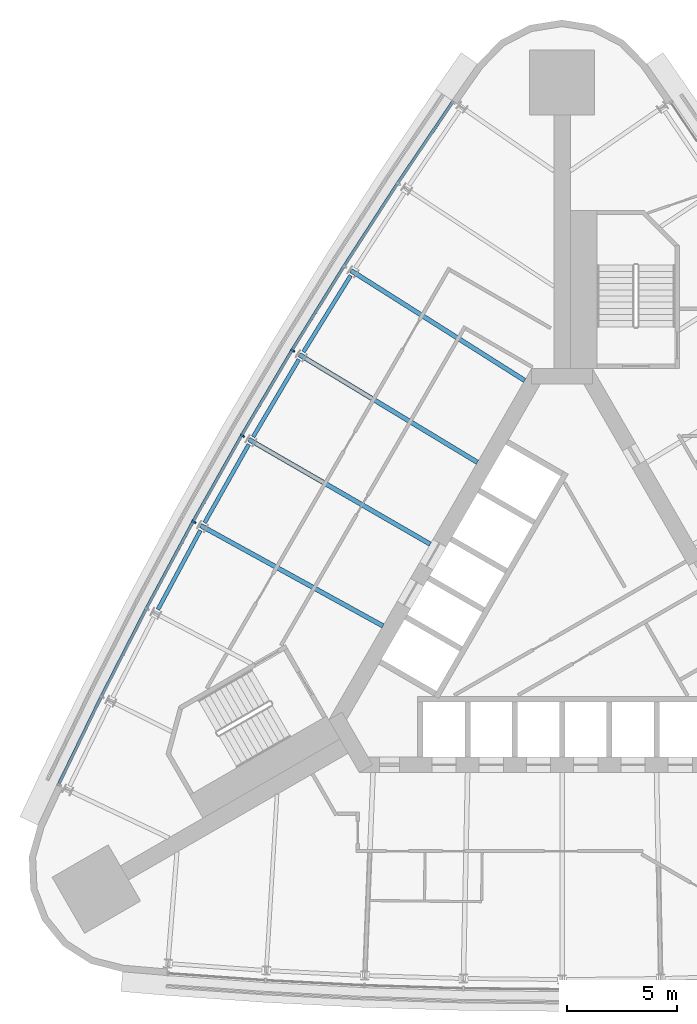
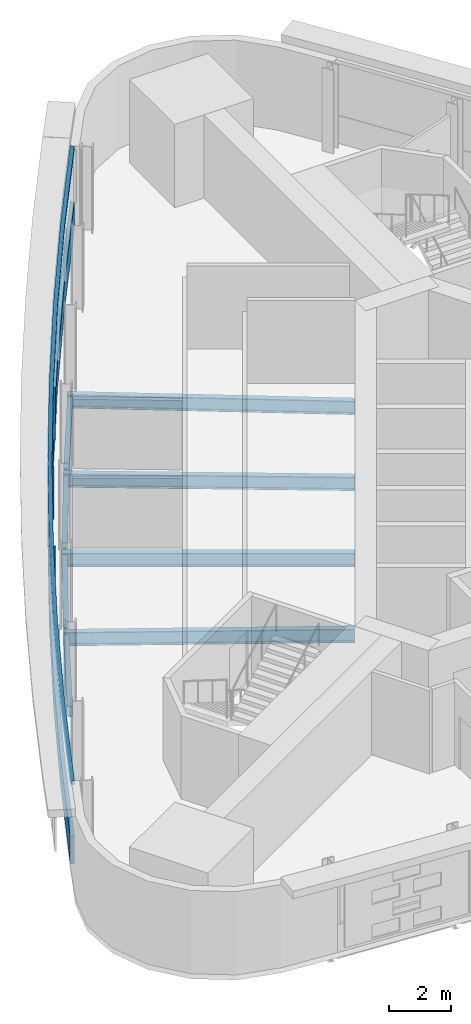
# One storey, part 3 of 11: 8 beams, 5 members, 1 element without a shape of its own.
"""IFC4 building model written with IfcOpenShell, lengths in metres."""

from ifc_helpers import new_model, si_unit, direction, frame, origin, origin_2d, place, context, subcontext, project, spatial, polyline, rectangle, i_section, outline, extrude, material, material_profile, profile_set, type_object, element, aggregate, save


model = new_model("IFC4")

# Units and contexts
model_context = context("Model", 3, precision=1e-05, world=origin(), true_north=direction((0.0, 1.0)))
body_context = subcontext(model_context, "Body", "Model", "MODEL_VIEW")
ifc_project = project(units=[si_unit("LENGTHUNIT", "METRE"), si_unit("AREAUNIT", "SQUARE_METRE"), si_unit("VOLUMEUNIT", "CUBIC_METRE"), si_unit("PLANEANGLEUNIT", "RADIAN"), si_unit("MASSUNIT", "GRAM", prefix="KILO")], contexts=[model_context])

# Site, building, storey
site_placement = place(None, origin())
site = spatial("IfcSite", under=ifc_project, at=site_placement, CompositionType="ELEMENT")
building_placement = place(site_placement, origin())
building = spatial("IfcBuilding", under=site, at=building_placement, Name="Noor Cloister Tower", CompositionType="ELEMENT")
storey_placement = place(building_placement, frame((0.0, 0.0, 123.89990234375)))
storey = spatial("IfcBuildingStorey", under=building, at=storey_placement, Name="L32", CompositionType="ELEMENT", Elevation=123.89990234375)

# Curtain wall, members
ifc_material_1 = material(Name="Aluminium 6063-T6 anodised", Category="aluminium")
curtain_wall_type = type_object("IfcCurtainWallType", Name="Ribbon curtain wall, lower tower CW1", PredefinedType="NOTDEFINED", material=ifc_material_1)
curtain_wall_placement = place(storey_placement, origin())
curtain_wall = element("IfcCurtainWall", 1, at=curtain_wall_placement, inside=storey, type_object=curtain_wall_type, Name="CW1 L32 NW run 1", PredefinedType="NOTDEFINED")
ifc_material_2 = material(Name="Aluminium 6063-T6 anodised", Category="aluminium")
member_type_1 = type_object("IfcMemberType", Name="Head transom CW1 150", PredefinedType="USERDEFINED", material=ifc_material_2)
member_1_placement = place(storey_placement, frame((0.0, 0.0, 3.150146484375)))
member_1 = element("IfcMember", 2, at=member_1_placement, type_object=member_type_1, Name="CW1 head transom", ObjectType="TRANSOM", PredefinedType="USERDEFINED", context=body_context, shape_type="SweptSolid", body=[
    extrude(outline(polyline([(-5.0126953125, 23.65576171875), (-7.533447265625, 19.92822265625), (-9.978271484375, 16.150390625), (-12.345703125, 12.323486328125), (-14.635009765625, 8.449462890625), (-16.845458984375, 4.52978515625), (-18.9755859375, 0.566162109375), (-21.025146484375, -3.43994140625), (-22.992919921875, -7.48681640625), (-22.866943359375, -7.548095703125), (-20.89990234375, -3.50244140625), (-18.851806640625, 0.501220703125), (-16.72265625, 4.46240234375), (-14.513916015625, 8.379638671875), (-12.225830078125, 12.251220703125), (-9.85986328125, 16.075439453125), (-7.416748046875, 19.85107421875), (-4.896728515625, 23.577392578125), (-5.0126953125, 23.65576171875)])), origin(), (0.0, 0.0, 1.0), 0.14990234375),
])
ifc_material_3 = material(Name="Aluminium 6063-T6 anodised", Category="aluminium")
ifc_material_profile_1 = material_profile(ifc_material_3, rectangle(XDim=0.199951171875, YDim=0.080078125, at=origin_2d()), Name="200 x 80 mullion")
ifc_profile_set_1 = profile_set([ifc_material_profile_1], Name="Aluminium 6063-T6 anodised")
member_type_2 = type_object("IfcMemberType", Name="Mullion CW1 80 x 200", PredefinedType="MULLION", material=ifc_profile_set_1)
member_2_placement = place(storey_placement, frame((-12.26025390625, 12.271728515625, 1.10009765625), z_axis=(0.0, 0.0, 1.0), x_axis=(0.855700352132, -0.517471648848, 0.0)))
member_2 = element("IfcMember", 3, at=member_2_placement, type_object=member_type_2, Name="CW1 mullion 4", PredefinedType="MULLION", context=body_context, shape_type="SweptSolid", body=[
    extrude(rectangle(XDim=0.199951171875, YDim=0.080078125, at=origin_2d()), origin(), (0.0, 0.0, 1.0), 2.050048828125),
])
member_3_placement = place(storey_placement, frame((-14.548583984375, 8.399658203125, 1.10009765625), z_axis=(0.0, 0.0, 1.0), x_axis=(0.866025403784, -0.5, 0.0)))
member_3 = element("IfcMember", 4, at=member_3_placement, type_object=member_type_2, Name="CW1 mullion 5", PredefinedType="MULLION", context=body_context, shape_type="SweptSolid", body=[
    extrude(rectangle(XDim=0.199951171875, YDim=0.080078125, at=origin_2d()), origin(), (0.0, 0.0, 1.0), 2.050048828125),
])
member_4_placement = place(storey_placement, frame((-16.7578125, 4.481689453125, 1.10009765625), z_axis=(0.0, 0.0, 1.0), x_axis=(0.875993769707, -0.482322418549, 0.0)))
member_4 = element("IfcMember", 5, at=member_4_placement, type_object=member_type_2, Name="CW1 mullion 6", PredefinedType="MULLION", context=body_context, shape_type="SweptSolid", body=[
    extrude(rectangle(XDim=0.199951171875, YDim=0.080078125, at=origin_2d()), origin(), (0.0, 0.0, 1.0), 2.050048828125),
])

# Beams
ifc_material_4 = material(Name="Steel ASTM A992 Gr 50", Category="steel")
ifc_material_profile_2 = material_profile(ifc_material_4, i_section(OverallWidth=0.208984375, OverallDepth=0.532958984375, WebThickness=0.01025390625, FlangeThickness=0.015625, FilletRadius=0.0126953125, at=origin_2d()), Name="W530x92")
ifc_profile_set_2 = profile_set([ifc_material_profile_2], Name="Steel ASTM A992 Gr 50")
beam_type_1 = type_object("IfcBeamType", Name="Radial beam W530x92", PredefinedType="BEAM", material=ifc_profile_set_2)
beam_1_placement = place(storey_placement, frame((-9.598388671875, 15.909912109375, -0.46630859375), z_axis=(0.845026810046, -0.534723938405, 0.0), x_axis=(0.534723938405, 0.845026810046, 0.0)))
element("IfcBeam", 6, at=beam_1_placement, inside=storey, type_object=beam_type_1, Name="Radial beam NW 03 L32", PredefinedType="BEAM", context=body_context, shape_type="SweptSolid", body=[
    extrude(i_section(OverallWidth=0.208984375, OverallDepth=0.532958984375, WebThickness=0.01025390625, FlangeThickness=0.015625, FilletRadius=0.0126953125, at=origin_2d()), origin(), (0.0, 0.0, 1.0), 9.346923828125),
])
beam_2_placement = place(storey_placement, frame((-11.961181640625, 12.091064453125, -0.46630859375), z_axis=(0.85570360183, -0.51746627505, 0.0), x_axis=(0.51746627505, 0.85570360183, 0.0)))
element("IfcBeam", 7, at=beam_2_placement, inside=storey, type_object=beam_type_1, Name="Radial beam NW 04 L32", PredefinedType="BEAM", context=body_context, shape_type="SweptSolid", body=[
    extrude(i_section(OverallWidth=0.208984375, OverallDepth=0.532958984375, WebThickness=0.01025390625, FlangeThickness=0.015625, FilletRadius=0.0126953125, at=origin_2d()), origin(), (0.0, 0.0, 1.0), 9.47802734375),
])
beam_3_placement = place(storey_placement, frame((-14.245849609375, 8.224853515625, -0.46630859375), z_axis=(0.866025463095, -0.499999897272, 0.0), x_axis=(0.499999897272, 0.866025463095, 0.0)))
element("IfcBeam", 8, at=beam_3_placement, inside=storey, type_object=beam_type_1, Name="Radial beam NW 05 L32", PredefinedType="BEAM", context=body_context, shape_type="SweptSolid", body=[
    extrude(i_section(OverallWidth=0.208984375, OverallDepth=0.532958984375, WebThickness=0.01025390625, FlangeThickness=0.015625, FilletRadius=0.0126953125, at=origin_2d()), origin(), (0.0, 0.0, 1.0), 9.521484375),
])
beam_4_placement = place(storey_placement, frame((-16.45166015625, 4.31298828125, -0.46630859375), z_axis=(0.875996641486, -0.482317202787, 0.0), x_axis=(0.482317202787, 0.875996641486, 0.0)))
element("IfcBeam", 9, at=beam_4_placement, inside=storey, type_object=beam_type_1, Name="Radial beam NW 06 L32", PredefinedType="BEAM", context=body_context, shape_type="SweptSolid", body=[
    extrude(i_section(OverallWidth=0.208984375, OverallDepth=0.532958984375, WebThickness=0.01025390625, FlangeThickness=0.015625, FilletRadius=0.0126953125, at=origin_2d()), origin(), (0.0, 0.0, 1.0), 9.477783203125),
])

# Member
ifc_material_5 = material(Name="Aluminium 6063-T6 anodised", Category="aluminium")
member_type_3 = type_object("IfcMemberType", Name="Sill transom CW1 1100", PredefinedType="USERDEFINED", material=ifc_material_5)
member_5_placement = place(storey_placement, origin())
member_5 = element("IfcMember", 10, at=member_5_placement, type_object=member_type_3, Name="CW1 sill transom", ObjectType="TRANSOM", PredefinedType="USERDEFINED", context=body_context, shape_type="SweptSolid", body=[
    extrude(outline(polyline([(-5.0126953125, 23.65576171875), (-7.533447265625, 19.92822265625), (-9.978271484375, 16.150390625), (-12.345703125, 12.323486328125), (-14.635009765625, 8.449462890625), (-16.845458984375, 4.52978515625), (-18.9755859375, 0.566162109375), (-21.025146484375, -3.43994140625), (-22.992919921875, -7.48681640625), (-22.866943359375, -7.548095703125), (-20.89990234375, -3.50244140625), (-18.851806640625, 0.501220703125), (-16.72265625, 4.46240234375), (-14.513916015625, 8.379638671875), (-12.225830078125, 12.251220703125), (-9.85986328125, 16.075439453125), (-7.416748046875, 19.85107421875), (-4.896728515625, 23.577392578125), (-5.0126953125, 23.65576171875)])), origin(), (0.0, 0.0, 1.0), 1.10009765625),
])

aggregate(curtain_wall, [member_2, member_3, member_4, member_5, member_1])

# Beams
ifc_material_6 = material(Name="Steel ASTM A992 Gr 50", Category="steel")
ifc_material_profile_3 = material_profile(ifc_material_6, i_section(OverallWidth=0.177978515625, OverallDepth=0.406005859375, WebThickness=0.0078125, FlangeThickness=0.0126953125, FilletRadius=0.01025390625, at=origin_2d()), Name="W410x60")
ifc_profile_set_3 = profile_set([ifc_material_profile_3], Name="Steel ASTM A992 Gr 50")
beam_type_2 = type_object("IfcBeamType", Name="Spandrel beam W410x60", PredefinedType="SPANDREL", material=ifc_profile_set_3)
for number, where, z_axis, x_axis, name in (
    (11, (-9.618896484375, 15.685791015625, -0.40283203125), (-0.526111975174, -0.850415304177, 0.0), (0.850415304177, -0.526111975174, 0.0), "Spandrel beam NW 03 L32"),
    (12, (-11.97705078125, 11.866455078125, -0.40283203125), (-0.508775589434, -0.860899180854, 0.0), (0.860899180854, -0.508775589434, 0.0), "Spandrel beam NW 04 L32"),
    (13, (-14.25732421875, 8.0, -0.40283203125), (-0.491165510925, -0.87106626664, 0.0), (0.87106626664, -0.491165510925, 0.0), "Spandrel beam NW 05 L32"),
    (14, (-16.45849609375, 4.088134765625, -0.40283203125), (-0.473415891139, -0.880839028436, 0.0), (0.880839028436, -0.473415891139, 0.0), "Spandrel beam NW 06 L32"),
):
    element("IfcBeam", number, at=place(storey_placement, frame(where, z_axis=z_axis, x_axis=x_axis)), inside=storey, type_object=beam_type_2, Name=name, PredefinedType="SPANDREL", context=body_context, shape_type="SweptSolid", body=[
        extrude(i_section(OverallWidth=0.177978515625, OverallDepth=0.406005859375, WebThickness=0.0078125, FlangeThickness=0.0126953125, FilletRadius=0.01025390625, at=origin_2d()), origin(), (0.0, 0.0, 1.0), 4.087890625),
    ])

save(model, "model.ifc")
